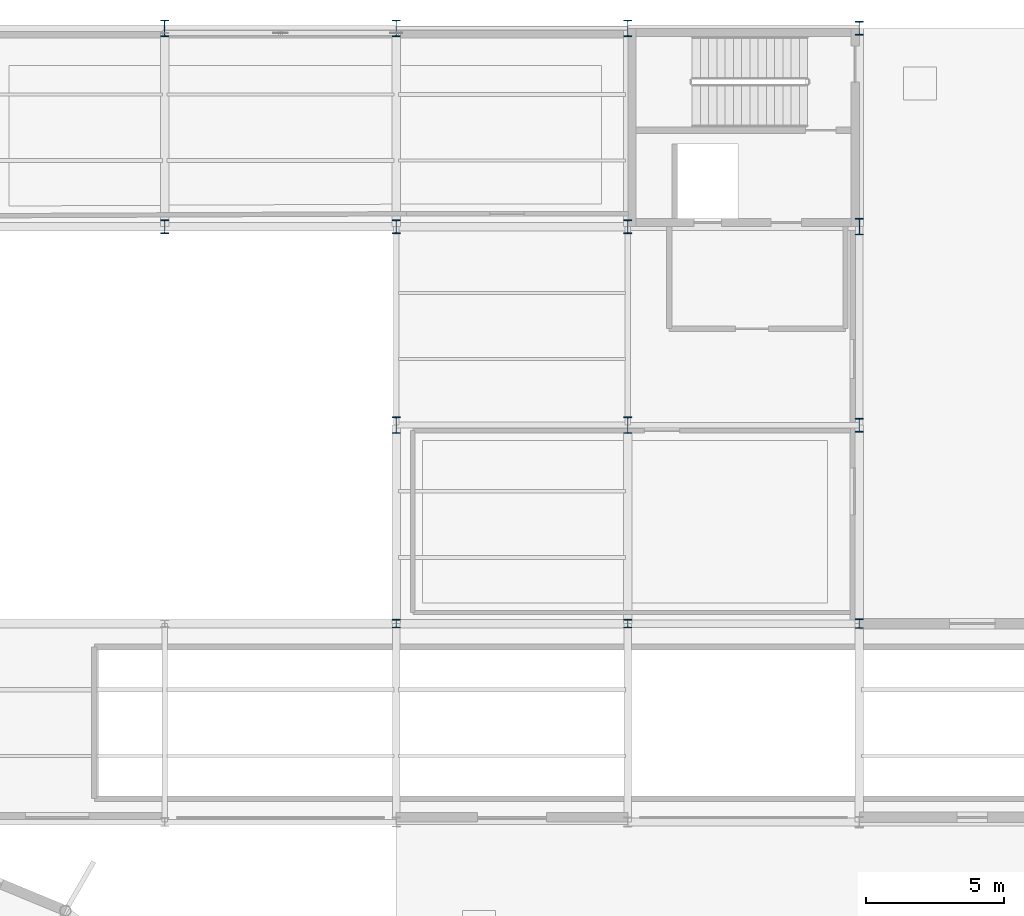
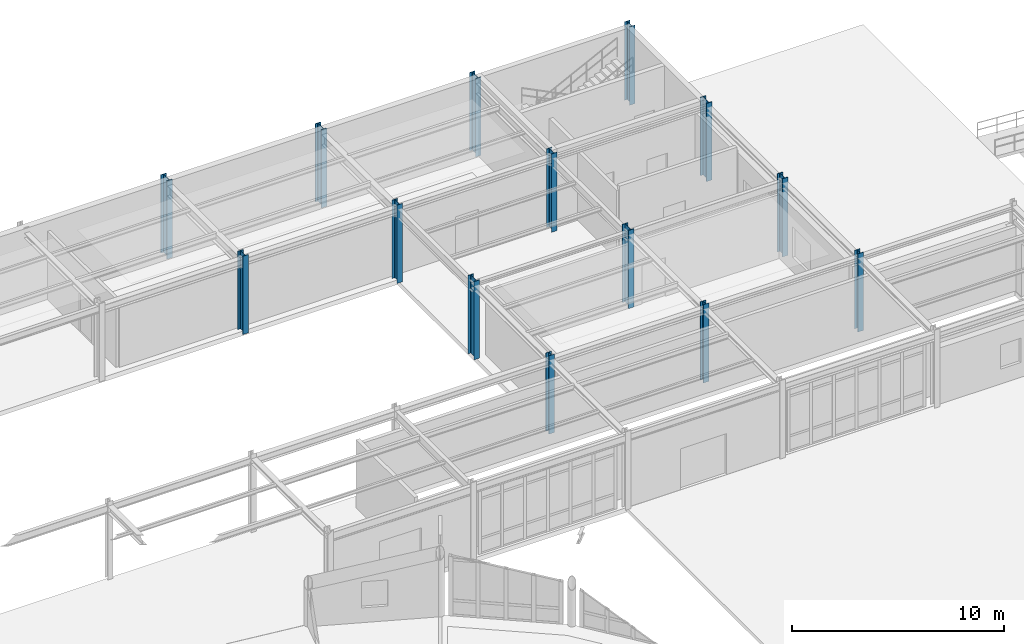
# One storey, part 18 of 101: 14 columns.
"""IFC4 building model written with IfcOpenShell, lengths in metres."""

from ifc_helpers import new_model, si_unit, derived_unit, direction, frame, origin, origin_2d, place, context, subcontext, project, spatial, i_section, extrude, material, material_profile, profile_set, type_object, element, save


model = new_model("IFC4")

# Units and contexts
model_context = context("Model", 3, precision=1e-05, world=origin(), true_north=direction((0.0, 1.0)))
body_context = subcontext(model_context, "Body", "Model", "MODEL_VIEW")
ifc_project = project(units=[si_unit("LENGTHUNIT", "METRE"), si_unit("AREAUNIT", "SQUARE_METRE"), si_unit("VOLUMEUNIT", "CUBIC_METRE"), si_unit("PLANEANGLEUNIT", "RADIAN"), si_unit("MASSUNIT", "GRAM", prefix="KILO"), derived_unit("THERMALTRANSMITTANCEUNIT", [(si_unit("POWERUNIT", "WATT"), 1), (si_unit("AREAUNIT", "SQUARE_METRE"), -1), (si_unit("THERMODYNAMICTEMPERATUREUNIT", "KELVIN"), -1)])], contexts=[model_context])

# Site, building, storey
site_placement = place(None, origin())
site = spatial("IfcSite", under=ifc_project, at=site_placement, CompositionType="ELEMENT")
building_placement = place(site_placement, origin())
building = spatial("IfcBuilding", under=site, at=building_placement, Name="Yasenodar Specialist Clinic", CompositionType="ELEMENT")
storey_placement = place(building_placement, origin())
storey = spatial("IfcBuildingStorey", under=building, at=storey_placement, Name="L00", CompositionType="ELEMENT", Elevation=0.0)

# Columns
ifc_material = material(Name="Steel S355", Category="steel")
ifc_material_profile_1 = material_profile(ifc_material, i_section(OverallWidth=0.300048828125, OverallDepth=0.300048828125, WebThickness=0.010986328125, FlangeThickness=0.01904296875, FilletRadius=0.027099609375, at=origin_2d()), Name="HEB 300")
ifc_profile_set_1 = profile_set([ifc_material_profile_1], Name="Steel S355")
column_type_1 = type_object("IfcColumnType", Name="COL-ST-HEB300", PredefinedType="COLUMN", material=ifc_profile_set_1)
for number, where, z_axis, x_axis, name in (
    (1, (105.0, 90.0, 0.0), (0.0, 0.0, 1.0), (1.0, 0.0, 0.0), "L00 Column V5-123"),
    (2, (113.39990234375, 90.0, 0.0), (0.0, 0.0, 1.0), (1.0, 0.0, 0.0), "L00 Column V5-133"),
):
    element("IfcColumn", number, at=place(storey_placement, frame(where, z_axis=z_axis, x_axis=x_axis)), inside=storey, type_object=column_type_1, Name=name, PredefinedType="COLUMN", context=body_context, shape_type="SweptSolid", body=[
        extrude(i_section(OverallWidth=0.300048828125, OverallDepth=0.300048828125, WebThickness=0.010986328125, FlangeThickness=0.01904296875, FilletRadius=0.027099609375, at=origin_2d()), origin(), (0.0, 0.0, 1.0), 4.5),
    ])
ifc_material_profile_2 = material_profile(ifc_material, i_section(OverallWidth=0.300048828125, OverallDepth=0.340087890625, WebThickness=0.011962890625, FlangeThickness=0.021484375, FilletRadius=0.027099609375, at=origin_2d()), Name="HEB 340")
ifc_profile_set_2 = profile_set([ifc_material_profile_2], Name="Steel S355")
column_type_2 = type_object("IfcColumnType", Name="COL-ST-HEB340", PredefinedType="COLUMN", material=ifc_profile_set_2)
column_placement = place(storey_placement, frame((121.800048828125, 90.0, 0.0), z_axis=(0.0, 0.0, 1.0), x_axis=(1.0, 0.0, 0.0)))
element("IfcColumn", 3, at=column_placement, inside=storey, type_object=column_type_2, Name="L00 Column V5-142", PredefinedType="COLUMN", context=body_context, shape_type="SweptSolid", body=[
    extrude(i_section(OverallWidth=0.300048828125, OverallDepth=0.340087890625, WebThickness=0.011962890625, FlangeThickness=0.021484375, FilletRadius=0.027099609375, at=origin_2d()), origin(), (0.0, 0.0, 1.0), 4.5),
])
ifc_material_profile_3 = material_profile(ifc_material, i_section(OverallWidth=0.300048828125, OverallDepth=0.5, WebThickness=0.014404296875, FlangeThickness=0.028076171875, FilletRadius=0.027099609375, at=origin_2d()), Name="HEB 500")
ifc_profile_set_3 = profile_set([ifc_material_profile_3], Name="Steel S355")
column_type_3 = type_object("IfcColumnType", Name="COL-ST-HEB500", PredefinedType="COLUMN", material=ifc_profile_set_3)
for number, where, z_axis, x_axis, name in (
    (4, (96.60009765625, 104.39990234375, 0.0), (0.0, 0.0, 1.0), (1.0, 0.0, 0.0), "L00 Column V5-115"),
    (5, (105.0, 104.39990234375, 0.0), (0.0, 0.0, 1.0), (1.0, 0.0, 0.0), "L00 Column V5-125"),
    (6, (113.39990234375, 104.39990234375, 0.0), (0.0, 0.0, 1.0), (1.0, 0.0, 0.0), "L00 Column V5-135"),
    (7, (121.800048828125, 97.199951171875, 0.0), (0.0, 0.0, 1.0), (1.0, 0.0, 0.0), "L00 Column V5-143"),
    (8, (121.800048828125, 111.60009765625, 0.0), (0.0, 0.0, 1.0), (1.0, 0.0, 0.0), "L00 Column V5-145"),
):
    element("IfcColumn", number, at=place(storey_placement, frame(where, z_axis=z_axis, x_axis=x_axis)), inside=storey, type_object=column_type_3, Name=name, PredefinedType="COLUMN", context=body_context, shape_type="SweptSolid", body=[
        extrude(i_section(OverallWidth=0.300048828125, OverallDepth=0.5, WebThickness=0.014404296875, FlangeThickness=0.028076171875, FilletRadius=0.027099609375, at=origin_2d()), origin(), (0.0, 0.0, 1.0), 4.5),
    ])
ifc_material_profile_4 = material_profile(ifc_material, i_section(OverallWidth=0.300048828125, OverallDepth=0.60009765625, WebThickness=0.015380859375, FlangeThickness=0.030029296875, FilletRadius=0.027099609375, at=origin_2d()), Name="HEB 600")
ifc_profile_set_4 = profile_set([ifc_material_profile_4], Name="Steel S355")
column_type_4 = type_object("IfcColumnType", Name="COL-ST-HEB600", PredefinedType="COLUMN", material=ifc_profile_set_4)
for number, where, z_axis, x_axis, name in (
    (9, (96.60009765625, 111.60009765625, 0.0), (0.0, 0.0, 1.0), (1.0, 0.0, 0.0), "L00 Column V5-116"),
    (10, (105.0, 97.199951171875, 0.0), (0.0, 0.0, 1.0), (1.0, 0.0, 0.0), "L00 Column V5-124"),
    (11, (105.0, 111.60009765625, 0.0), (0.0, 0.0, 1.0), (1.0, 0.0, 0.0), "L00 Column V5-126"),
    (12, (113.39990234375, 97.199951171875, 0.0), (0.0, 0.0, 1.0), (1.0, 0.0, 0.0), "L00 Column V5-134"),
    (13, (113.39990234375, 111.60009765625, 0.0), (0.0, 0.0, 1.0), (1.0, 0.0, 0.0), "L00 Column V5-136"),
    (14, (121.800048828125, 104.39990234375, 0.0), (0.0, 0.0, 1.0), (1.0, 0.0, 0.0), "L00 Column V5-144"),
):
    element("IfcColumn", number, at=place(storey_placement, frame(where, z_axis=z_axis, x_axis=x_axis)), inside=storey, type_object=column_type_4, Name=name, PredefinedType="COLUMN", context=body_context, shape_type="SweptSolid", body=[
        extrude(i_section(OverallWidth=0.300048828125, OverallDepth=0.60009765625, WebThickness=0.015380859375, FlangeThickness=0.030029296875, FilletRadius=0.027099609375, at=origin_2d()), origin(), (0.0, 0.0, 1.0), 4.5),
    ])

save(model, "model.ifc")
